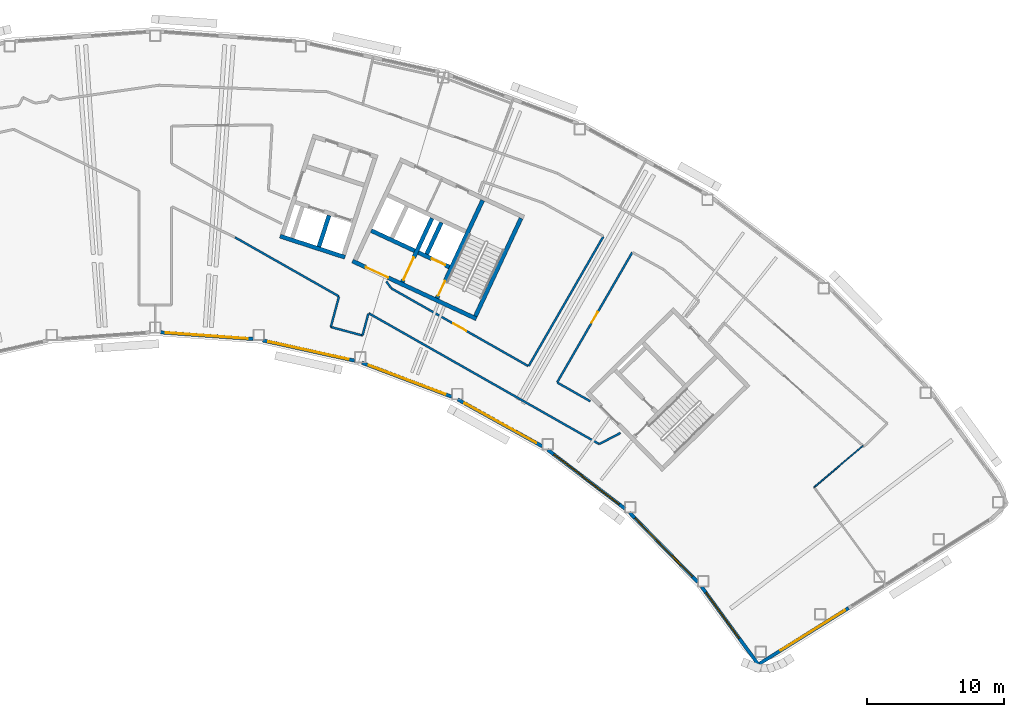
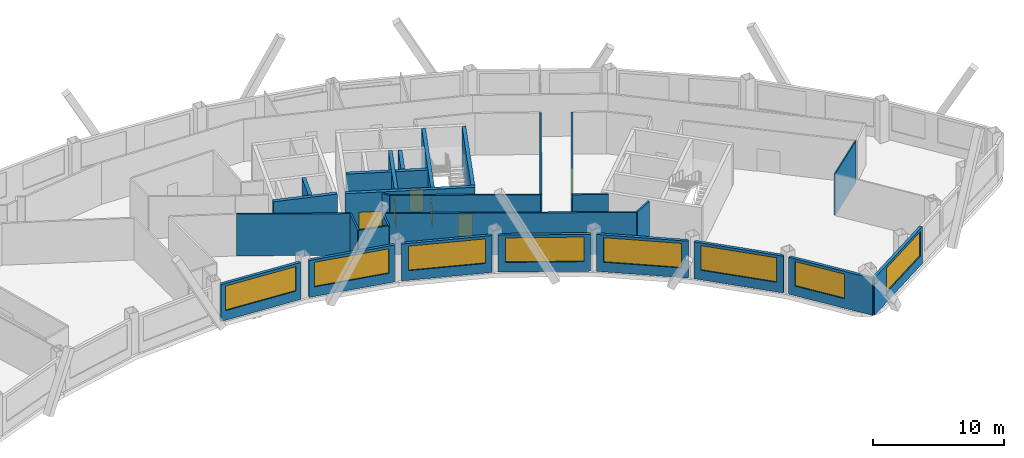
# One storey, part 8 of 13: 29 walls, 8 windows, 6 doors, 14 openings.
"""IFC4 building model written with IfcOpenShell, lengths in metres."""

from ifc_helpers import new_model, si_unit, direction, frame, frame_2d, origin, place, context, subcontext, project, spatial, rectangle, extrude, material, layer, layer_set, type_object, element, fill, save


model = new_model("IFC4")

# Units and contexts
model_context = context("Model", 3, precision=1e-05, world=origin(), true_north=direction((0.0, 1.0)))
body_context = subcontext(model_context, "Body", "Model", "MODEL_VIEW")
ifc_project = project(units=[si_unit("LENGTHUNIT", "METRE"), si_unit("AREAUNIT", "SQUARE_METRE"), si_unit("VOLUMEUNIT", "CUBIC_METRE"), si_unit("PLANEANGLEUNIT", "RADIAN"), si_unit("MASSUNIT", "GRAM", prefix="KILO")], contexts=[model_context])

# Site, building, storey
site_placement = place(None, origin())
site = spatial("IfcSite", under=ifc_project, at=site_placement, CompositionType="ELEMENT")
building_placement = place(site_placement, origin())
building = spatial("IfcBuilding", under=site, at=building_placement, Name="Tuul Gate Civic Tower", CompositionType="ELEMENT")
storey_placement = place(building_placement, frame((0.0, 0.0, 248.39990234375)))
storey = spatial("IfcBuildingStorey", under=building, at=storey_placement, Name="Level 56", CompositionType="ELEMENT", Elevation=248.39990234375)

# Wall, opening, door
ifc_material_1 = material(Name="Concrete C50/60", Category="concrete")
ifc_layer_1 = layer(ifc_material_1, 0.300048828125)
ifc_layer_set_1 = layer_set([ifc_layer_1], Name="Concrete C50/60")
wall_type_1 = type_object("IfcWallType", Name="Core wall C50/60", PredefinedType="SHEAR", material=ifc_layer_set_1)
wall_1_placement = place(storey_placement, frame((34.5283203125, -7.25, 0.0), z_axis=(0.0, 0.0, 1.0), x_axis=(-0.906310338845, 0.422612789327, 0.0)))
wall_1 = element("IfcWall", 1, at=wall_1_placement, inside=storey, type_object=wall_type_1, Name="Core wall", PredefinedType="SHEAR", context=body_context, shape_type="SweptSolid", body=[
    extrude(rectangle(XDim=9.999755859375, YDim=0.300048828125, at=frame_2d((5.0, 0.0))), origin(), (0.0, 0.0, 1.0), 3.900146484375),
])
opening_1_placement = place(wall_1_placement, frame((7.125, 0.0, 0.0)))
opening_1 = element("IfcOpeningElement", 2, at=opening_1_placement, cuts=wall_1, Name="Opening LB-E3-LOBBY-1", PredefinedType="OPENING", context=body_context, shape_type="SweptSolid", body=[
    extrude(rectangle(XDim=1.800048828125, YDim=2.10009765625, at=frame_2d((0.89990234375, 1.050048828125))), frame((0.0, 0.16015625, 0.0), z_axis=(0.0, -1.0, 0.0), x_axis=(1.0, 0.0, 0.0)), (0.0, 0.0, 1.0), 0.320068359375),
])
ifc_material_2 = material(Name="Steel", Category="steel")
door_type_1 = type_object("IfcDoorType", Name="Lobby door", OperationType="DOUBLE_DOOR_SINGLE_SWING", PredefinedType="DOOR", material=ifc_material_2)
door_1_placement = place(opening_1_placement, origin())
door_1 = element("IfcDoor", 3, at=door_1_placement, inside=storey, type_object=door_type_1, Name="Lobby door E3-LOBBY", OperationType="DOUBLE_DOOR_SINGLE_SWING", OverallHeight=2.10009765625, OverallWidth=1.800048828125, PredefinedType="DOOR", context=body_context, shape_type="SweptSolid", body=[
    extrude(rectangle(XDim=1.800048828125, YDim=2.10009765625, at=frame_2d((0.89990234375, 1.050048828125))), frame((0.0, 0.02490234375, 0.0), z_axis=(0.0, -1.0, 0.0), x_axis=(1.0, 0.0, 0.0)), (0.0, 0.0, 1.0), 0.050048828125),
])
fill(opening_1, door_1)

wall_2_placement = place(storey_placement, frame((32.545654296875, -3.456787109375, 0.0), z_axis=(0.0, 0.0, 1.0), x_axis=(-0.906300357825, 0.42263419337, 0.0)))
wall_2 = element("IfcWall", 4, at=wall_2_placement, inside=storey, type_object=wall_type_1, Name="Core wall", PredefinedType="SHEAR", context=body_context, shape_type="SweptSolid", body=[
    extrude(rectangle(XDim=2.500244140625, YDim=0.300048828125, at=frame_2d((1.25, 0.0))), origin(), (0.0, 0.0, 1.0), 3.900146484375),
])
opening_2_placement = place(wall_2_placement, frame((0.324951171875, 0.0, 0.0)))
opening_2 = element("IfcOpeningElement", 5, at=opening_2_placement, cuts=wall_2, Name="Opening LD-FF-2", PredefinedType="OPENING", context=body_context, shape_type="SweptSolid", body=[
    extrude(rectangle(XDim=1.10009765625, YDim=2.10009765625, at=frame_2d((0.550048828125, 1.050048828125))), frame((0.0, 0.16015625, 0.0), z_axis=(0.0, -1.0, 0.0), x_axis=(1.0, 0.0, 0.0)), (0.0, 0.0, 1.0), 0.320068359375),
])
ifc_material_3 = material(Name="Stainless steel", Category="steel")
door_type_2 = type_object("IfcDoorType", Name="Landing door", OperationType="DOUBLE_DOOR_SLIDING", PredefinedType="DOOR", material=ifc_material_3)
door_2_placement = place(opening_2_placement, origin())
door_2 = element("IfcDoor", 6, at=door_2_placement, inside=storey, type_object=door_type_2, Name="Fire-fighting lift FF-2 landing door", OperationType="DOUBLE_DOOR_SLIDING", OverallHeight=2.10009765625, OverallWidth=1.10009765625, PredefinedType="DOOR", context=body_context, shape_type="SweptSolid", body=[
    extrude(rectangle(XDim=1.10009765625, YDim=2.10009765625, at=frame_2d((0.550048828125, 1.050048828125))), frame((0.0, 0.02490234375, 0.0), z_axis=(0.0, -1.0, 0.0), x_axis=(1.0, 0.0, 0.0)), (0.0, 0.0, 1.0), 0.050048828125),
])
fill(opening_2, door_2)

# Walls
wall_3_placement = place(storey_placement, frame((30.0078125, -2.2734375, 0.0), z_axis=(0.0, 0.0, 1.0), x_axis=(-0.90630071767, 0.422633421716, 0.0)))
element("IfcWall", 7, at=wall_3_placement, inside=storey, type_object=wall_type_1, Name="Core wall", PredefinedType="SHEAR", context=body_context, shape_type="SweptSolid", body=[
    extrude(rectangle(XDim=3.5, YDim=0.300048828125, at=frame_2d((1.75, 0.0))), origin(), (0.0, 0.0, 1.0), 3.900146484375),
])
wall_4_placement = place(storey_placement, frame((34.455810546875, -7.05078125, 0.0), z_axis=(0.0, 0.0, 1.0), x_axis=(0.422570768258, 0.906329932096, 0.0)))
element("IfcWall", 8, at=wall_4_placement, inside=storey, type_object=wall_type_1, Name="Core wall", PredefinedType="SHEAR", context=body_context, shape_type="SweptSolid", body=[
    extrude(rectangle(XDim=7.900146484375, YDim=0.300048828125, at=frame_2d((3.9501953125, 0.0))), origin(), (0.0, 0.0, 1.0), 3.900146484375),
])

# Wall, opening, door
wall_5_placement = place(storey_placement, frame((31.646240234375, -5.740478515625, 0.0), z_axis=(0.0, 0.0, 1.0), x_axis=(0.422582604137, 0.906324413596, 0.0)))
wall_5 = element("IfcWall", 9, at=wall_5_placement, inside=storey, type_object=wall_type_1, Name="Core wall", PredefinedType="SHEAR", context=body_context, shape_type="SweptSolid", body=[
    extrude(rectangle(XDim=7.89990234375, YDim=0.300048828125, at=frame_2d((3.949951171875, 0.0))), origin(), (0.0, 0.0, 1.0), 3.900146484375),
])
opening_3_placement = place(wall_5_placement, frame((0.199951171875, 0.0, 0.0)))
opening_3 = element("IfcOpeningElement", 10, at=opening_3_placement, cuts=wall_5, Name="Opening SD-ST-4", PredefinedType="OPENING", context=body_context, shape_type="SweptSolid", body=[
    extrude(rectangle(XDim=1.199951171875, YDim=2.10009765625, at=frame_2d((0.60009765625, 1.050048828125))), frame((0.0, 0.16015625, 0.0), z_axis=(0.0, -1.0, 0.0), x_axis=(1.0, 0.0, 0.0)), (0.0, 0.0, 1.0), 0.320068359375),
])
ifc_material_4 = material(Name="Steel", Category="steel")
door_type_3 = type_object("IfcDoorType", Name="Stair door", OperationType="NOTDEFINED", PredefinedType="DOOR", material=ifc_material_4)
door_3_placement = place(opening_3_placement, origin())
door_3 = element("IfcDoor", 11, at=door_3_placement, inside=storey, type_object=door_type_3, Name="Stair door ST-4", OperationType="SINGLE_SWING_LEFT", OverallHeight=2.10009765625, OverallWidth=1.199951171875, PredefinedType="DOOR", context=body_context, shape_type="SweptSolid", body=[
    extrude(rectangle(XDim=1.199951171875, YDim=2.10009765625, at=frame_2d((0.60009765625, 1.050048828125))), frame((0.0, 0.02490234375, 0.0), z_axis=(0.0, -1.0, 0.0), x_axis=(1.0, 0.0, 0.0)), (0.0, 0.0, 1.0), 0.050048828125),
])
fill(opening_3, door_3)

# Wall
wall_6_placement = place(storey_placement, frame((30.886962890625, -2.517822265625, 0.0), z_axis=(0.0, 0.0, 1.0), x_axis=(0.422612891016, 0.906310291427, 0.0)))
element("IfcWall", 12, at=wall_6_placement, inside=storey, type_object=wall_type_1, Name="Core wall", PredefinedType="SHEAR", context=body_context, shape_type="SweptSolid", body=[
    extrude(rectangle(XDim=2.550048828125, YDim=0.300048828125, at=frame_2d((1.27490234375, 0.0))), origin(), (0.0, 0.0, 1.0), 3.900146484375),
])

# Wall, opening, door
wall_7_placement = place(storey_placement, frame((29.108642578125, -4.557373046875, 0.0), z_axis=(0.0, 0.0, 1.0), x_axis=(0.422566235356, 0.90633204552, 0.0)))
wall_7 = element("IfcWall", 13, at=wall_7_placement, inside=storey, type_object=wall_type_1, Name="Core wall", PredefinedType="SHEAR", context=body_context, shape_type="SweptSolid", body=[
    extrude(rectangle(XDim=5.150146484375, YDim=0.300048828125, at=frame_2d((2.5751953125, 0.0))), origin(), (0.0, 0.0, 1.0), 3.900146484375),
])
opening_4_placement = place(wall_7_placement, frame((0.175048828125, 0.0, 0.0)))
opening_4 = element("IfcOpeningElement", 14, at=opening_4_placement, cuts=wall_7, Name="Opening LB-E3-FLOBBY-1", PredefinedType="OPENING", context=body_context, shape_type="SweptSolid", body=[
    extrude(rectangle(XDim=1.800048828125, YDim=2.10009765625, at=frame_2d((0.89990234375, 1.050048828125))), frame((0.0, 0.16015625, 0.0), z_axis=(0.0, -1.0, 0.0), x_axis=(1.0, 0.0, 0.0)), (0.0, 0.0, 1.0), 0.320068359375),
])
door_4_placement = place(opening_4_placement, frame((1.800048828125, 0.0, 0.0), z_axis=(0.0, 0.0, 1.0), x_axis=(-1.0, 0.0, 0.0)))
door_4 = element("IfcDoor", 15, at=door_4_placement, inside=storey, type_object=door_type_1, Name="Lobby door E3-FLOBBY", OperationType="DOUBLE_DOOR_SINGLE_SWING", OverallHeight=2.10009765625, OverallWidth=1.800048828125, PredefinedType="DOOR", context=body_context, shape_type="SweptSolid", body=[
    extrude(rectangle(XDim=1.800048828125, YDim=2.10009765625, at=frame_2d((0.900146484375, 1.050048828125))), frame((0.0, 0.02490234375, 0.0), z_axis=(0.0, -1.0, 0.0), x_axis=(1.0, 0.0, 0.0)), (0.0, 0.0, 1.0), 0.050048828125),
])
fill(opening_4, door_4)

ifc_material_5 = material(Name="Gypsum board partition")
ifc_layer_2 = layer(ifc_material_5, 0.14990234375)
ifc_layer_set_2 = layer_set([ifc_layer_2], Name="Gypsum board partition")
wall_type_2 = type_object("IfcWallType", Name="Corridor wall P150", PredefinedType="PARTITIONING", material=ifc_layer_set_2)
wall_8_placement = place(storey_placement, frame((28.28857421875, -5.01220703125, 0.0), z_axis=(0.0, 0.0, 1.0), x_axis=(0.869716838548, -0.493551031551, 0.0)))
wall_8 = element("IfcWall", 16, at=wall_8_placement, inside=storey, type_object=wall_type_2, Name="p021", PredefinedType="PARTITIONING", context=body_context, shape_type="SweptSolid", body=[
    extrude(rectangle(XDim=11.541015625, YDim=0.14990234375, at=frame_2d((5.7705078125, 0.0))), origin(), (0.0, 0.0, 1.0), 3.900146484375),
])
opening_5_placement = place(wall_8_placement, frame((5.220458984375, 0.0, 0.0)))
opening_5 = element("IfcOpeningElement", 17, at=opening_5_placement, cuts=wall_8, Name="Opening U-D13", PredefinedType="OPENING", context=body_context, shape_type="SweptSolid", body=[
    extrude(rectangle(XDim=1.10009765625, YDim=2.10009765625, at=frame_2d((0.550048828125, 1.050048828125))), frame((0.0, 0.0849609375, 0.0), z_axis=(0.0, -1.0, 0.0), x_axis=(1.0, 0.0, 0.0)), (0.0, 0.0, 1.0), 0.169921875),
])
ifc_material_6 = material(Name="Timber door leaf", Category="wood")
door_type_4 = type_object("IfcDoorType", Name="Door D11", OperationType="NOTDEFINED", PredefinedType="DOOR", material=ifc_material_6)
door_5_placement = place(opening_5_placement, frame((1.10009765625, 0.0, 0.0), z_axis=(0.0, 0.0, 1.0), x_axis=(-1.0, 0.0, 0.0)))
door_5 = element("IfcDoor", 18, at=door_5_placement, inside=storey, type_object=door_type_4, Name="Door U-D13", OperationType="SINGLE_SWING_LEFT", OverallHeight=2.10009765625, OverallWidth=1.10009765625, PredefinedType="DOOR", context=body_context, shape_type="SweptSolid", body=[
    extrude(rectangle(XDim=1.10009765625, YDim=2.10009765625, at=frame_2d((0.550048828125, 1.050048828125))), frame((0.0, 0.02490234375, 0.0), z_axis=(0.0, -1.0, 0.0), x_axis=(1.0, 0.0, 0.0)), (0.0, 0.0, 1.0), 0.050048828125),
])
fill(opening_5, door_5)

# Walls
wall_9_placement = place(storey_placement, frame((40.447998046875, -11.91259765625, 0.0), z_axis=(0.0, 0.0, 1.0), x_axis=(0.869704327938, -0.493573076622, 0.0)))
element("IfcWall", 19, at=wall_9_placement, inside=storey, type_object=wall_type_2, Name="p022", PredefinedType="PARTITIONING", context=body_context, shape_type="SweptSolid", body=[
    extrude(rectangle(XDim=2.76904296875, YDim=0.14990234375, at=frame_2d((1.384521484375, 0.0))), origin(), (0.0, 0.0, 1.0), 3.900146484375),
])
wall_10_placement = place(storey_placement, frame((16.869140625, -1.291259765625, 0.0), z_axis=(0.0, 0.0, 1.0), x_axis=(0.869705050565, -0.49357180331, 0.0)))
element("IfcWall", 20, at=wall_10_placement, inside=storey, type_object=wall_type_2, Name="p049", PredefinedType="PARTITIONING", context=body_context, shape_type="SweptSolid", body=[
    extrude(rectangle(XDim=8.7333984375, YDim=0.14990234375, at=frame_2d((4.36669921875, 0.0))), origin(), (0.0, 0.0, 1.0), 3.900146484375),
])
wall_11_placement = place(storey_placement, frame((26.65380859375, -6.84423828125, 0.0), z_axis=(0.0, 0.0, 1.0), x_axis=(0.869704761963, -0.493572311843, 0.0)))
element("IfcWall", 21, at=wall_11_placement, inside=storey, type_object=wall_type_2, Name="p050", PredefinedType="PARTITIONING", context=body_context, shape_type="SweptSolid", body=[
    extrude(rectangle(XDim=19.387451171875, YDim=0.14990234375, at=frame_2d((9.69384765625, 0.0))), origin(), (0.0, 0.0, 1.0), 3.900146484375),
])
wall_12_placement = place(storey_placement, frame((23.87646484375, -7.84765625, 0.0), z_axis=(0.0, 0.0, 1.0), x_axis=(0.258790844669, 0.965933382131, 0.0)))
element("IfcWall", 22, at=wall_12_placement, inside=storey, type_object=wall_type_2, Name="p051", PredefinedType="PARTITIONING", context=body_context, shape_type="SweptSolid", body=[
    extrude(rectangle(XDim=2.302734375, YDim=0.14990234375, at=frame_2d((1.1513671875, 0.0))), origin(), (0.0, 0.0, 1.0), 3.900146484375),
])
wall_13_placement = place(storey_placement, frame((23.87646484375, -7.84765625, 0.0), z_axis=(0.0, 0.0, 1.0), x_axis=(0.965930342518, -0.258802189717, 0.0)))
element("IfcWall", 23, at=wall_13_placement, inside=storey, type_object=wall_type_2, Name="p052", PredefinedType="PARTITIONING", context=body_context, shape_type="SweptSolid", body=[
    extrude(rectangle(XDim=2.39990234375, YDim=0.14990234375, at=frame_2d((1.199951171875, 0.0))), origin(), (0.0, 0.0, 1.0), 3.900146484375),
])
wall_14_placement = place(storey_placement, frame((26.194580078125, -8.46875, 0.0), z_axis=(0.0, 0.0, 1.0), x_axis=(0.258855549498, 0.965916044226, 0.0)))
element("IfcWall", 24, at=wall_14_placement, inside=storey, type_object=wall_type_2, Name="p053", PredefinedType="PARTITIONING", context=body_context, shape_type="SweptSolid", body=[
    extrude(rectangle(XDim=1.66845703125, YDim=0.14990234375, at=frame_2d((0.834228515625, 0.0))), origin(), (0.0, 0.0, 1.0), 3.900146484375),
])
wall_15_placement = place(storey_placement, frame((38.35205078125, -10.700439453125, 0.0), z_axis=(0.0, 0.0, 1.0), x_axis=(0.499619353254, 0.866245058776, 0.0)))
element("IfcWall", 25, at=wall_15_placement, inside=storey, type_object=wall_type_2, Name="p054", PredefinedType="PARTITIONING", context=body_context, shape_type="SweptSolid", body=[
    extrude(rectangle(XDim=10.93359375, YDim=0.14990234375, at=frame_2d((5.466796875, 0.0))), origin(), (0.0, 0.0, 1.0), 3.900146484375),
])

# Wall, opening, door
wall_16_placement = place(storey_placement, frame((40.438720703125, -11.890869140625, 0.0), z_axis=(0.0, 0.0, 1.0), x_axis=(0.500324334958, 0.865838067914, 0.0)))
wall_16 = element("IfcWall", 26, at=wall_16_placement, inside=storey, type_object=wall_type_2, Name="p055", PredefinedType="PARTITIONING", context=body_context, shape_type="SweptSolid", body=[
    extrude(rectangle(XDim=10.965576171875, YDim=0.14990234375, at=frame_2d((5.48291015625, 0.0))), origin(), (0.0, 0.0, 1.0), 3.900146484375),
])
opening_6_placement = place(wall_16_placement, frame((5.03271484375, 0.0, 0.0)))
opening_6 = element("IfcOpeningElement", 27, at=opening_6_placement, cuts=wall_16, Name="Opening U-D12", PredefinedType="OPENING", context=body_context, shape_type="SweptSolid", body=[
    extrude(rectangle(XDim=0.89990234375, YDim=2.10009765625, at=frame_2d((0.449951171875, 1.050048828125))), frame((0.0, 0.0849609375, 0.0), z_axis=(0.0, -1.0, 0.0), x_axis=(1.0, 0.0, 0.0)), (0.0, 0.0, 1.0), 0.169921875),
])
ifc_material_7 = material(Name="Timber door leaf", Category="wood")
door_type_5 = type_object("IfcDoorType", Name="Door D09", OperationType="NOTDEFINED", PredefinedType="DOOR", material=ifc_material_7)
door_6_placement = place(opening_6_placement, frame((0.89990234375, 0.0, 0.0), z_axis=(0.0, 0.0, 1.0), x_axis=(-1.0, 0.0, 0.0)))
door_6 = element("IfcDoor", 28, at=door_6_placement, inside=storey, type_object=door_type_5, Name="Door U-D12", OperationType="SINGLE_SWING_LEFT", OverallHeight=2.10009765625, OverallWidth=0.89990234375, PredefinedType="DOOR", context=body_context, shape_type="SweptSolid", body=[
    extrude(rectangle(XDim=0.89990234375, YDim=2.10009765625, at=frame_2d((0.449951171875, 1.050048828125))), frame((0.0, 0.02490234375, 0.0), z_axis=(0.0, -1.0, 0.0), x_axis=(1.0, 0.0, 0.0)), (0.0, 0.0, 1.0), 0.050048828125),
])
fill(opening_6, door_6)

# Walls
wall_17_placement = place(storey_placement, frame((43.515380859375, -16.412841796875, 0.0), z_axis=(0.0, 0.0, 1.0), x_axis=(0.885578182446, 0.464490347343, 0.0)))
element("IfcWall", 29, at=wall_17_placement, inside=storey, type_object=wall_type_2, Name="p056", PredefinedType="PARTITIONING", context=body_context, shape_type="SweptSolid", body=[
    extrude(rectangle(XDim=1.755126953125, YDim=0.14990234375, at=frame_2d((0.87744140625, 0.0))), origin(), (0.0, 0.0, 1.0), 3.900146484375),
])
wall_18_placement = place(storey_placement, frame((27.939453125, -4.509033203125, 0.0), z_axis=(0.0, 0.0, 1.0), x_axis=(0.567421034779, -0.823427816685, 0.0)))
element("IfcWall", 30, at=wall_18_placement, inside=storey, type_object=wall_type_2, Name="p087", PredefinedType="PARTITIONING", context=body_context, shape_type="SweptSolid", body=[
    extrude(rectangle(XDim=0.603759765625, YDim=0.14990234375, at=frame_2d((0.3017578125, 0.0))), origin(), (0.0, 0.0, 1.0), 3.900146484375),
])

# Wall, opening, window
ifc_material_8 = material(Name="Precast concrete C40/50", Category="concrete")
ifc_layer_3 = layer(ifc_material_8, 0.25)
ifc_layer_set_3 = layer_set([ifc_layer_3], Name="Precast concrete C40/50")
wall_type_3 = type_object("IfcWallType", Name="External wall", PredefinedType="STANDARD", material=ifc_layer_set_3)
wall_19_placement = place(storey_placement, frame((11.430908203125, -8.236572265625, 0.0), z_axis=(0.0, 0.0, 1.0), x_axis=(0.997384795983, -0.072274260578, 0.0)))
wall_19 = element("IfcWall", 31, at=wall_19_placement, inside=storey, type_object=wall_type_3, Name="External wall", PredefinedType="STANDARD", context=body_context, shape_type="SweptSolid", body=[
    extrude(rectangle(XDim=6.789794921875, YDim=0.25, at=frame_2d((3.39501953125, 0.0))), origin(), (0.0, 0.0, 1.0), 3.4501953125),
])
opening_7_placement = place(wall_19_placement, frame((0.371337890625, 0.0, 0.89990234375)))
opening_7 = element("IfcOpeningElement", 32, at=opening_7_placement, cuts=wall_19, Name="Opening W26", PredefinedType="OPENING", context=body_context, shape_type="SweptSolid", body=[
    extrude(rectangle(XDim=6.0, YDim=2.300048828125, at=frame_2d((3.0, 1.14990234375))), frame((0.0, 0.135009765625, 0.0), z_axis=(0.0, -1.0, 0.0), x_axis=(1.0, 0.0, 0.0)), (0.0, 0.0, 1.0), 0.27001953125),
])
ifc_material_9 = material(Name="Glass", Category="glass")
window_type_1 = type_object("IfcWindowType", Name="Window W26 6000 x 2300", PartitioningType="SINGLE_PANEL", PredefinedType="WINDOW", material=ifc_material_9)
window_1_placement = place(opening_7_placement, origin())
window_1 = element("IfcWindow", 33, at=window_1_placement, inside=storey, type_object=window_type_1, Name="Window", OverallHeight=2.300048828125, OverallWidth=6.0, PartitioningType="SINGLE_PANEL", PredefinedType="WINDOW", context=body_context, shape_type="SweptSolid", body=[
    extrude(rectangle(XDim=6.0, YDim=2.300048828125, at=frame_2d((3.0, 1.14990234375))), frame((0.0, 0.030029296875, 0.0), z_axis=(0.0, -1.0, 0.0), x_axis=(1.0, 0.0, 0.0)), (0.0, 0.0, 1.0), 0.06005859375),
])
fill(opening_7, window_1)

wall_20_placement = place(storey_placement, frame((18.90576171875, -8.830078125, 0.0), z_axis=(0.0, 0.0, 1.0), x_axis=(0.976589118116, -0.215113212929, 0.0)))
wall_20 = element("IfcWall", 34, at=wall_20_placement, inside=storey, type_object=wall_type_3, Name="External wall", PredefinedType="STANDARD", context=body_context, shape_type="SweptSolid", body=[
    extrude(rectangle(XDim=6.8720703125, YDim=0.25, at=frame_2d((3.43603515625, 0.0))), origin(), (0.0, 0.0, 1.0), 3.4501953125),
])
opening_8_placement = place(wall_20_placement, frame((0.4140625, 0.0, 0.89990234375)))
opening_8 = element("IfcOpeningElement", 35, at=opening_8_placement, cuts=wall_20, Name="Opening W26", PredefinedType="OPENING", context=body_context, shape_type="SweptSolid", body=[
    extrude(rectangle(XDim=6.0, YDim=2.300048828125, at=frame_2d((3.0, 1.14990234375))), frame((0.0, 0.135009765625, 0.0), z_axis=(0.0, -1.0, 0.0), x_axis=(1.0, 0.0, 0.0)), (0.0, 0.0, 1.0), 0.27001953125),
])
window_2_placement = place(opening_8_placement, origin())
window_2 = element("IfcWindow", 36, at=window_2_placement, inside=storey, type_object=window_type_1, Name="Window", OverallHeight=2.300048828125, OverallWidth=6.0, PartitioningType="SINGLE_PANEL", PredefinedType="WINDOW", context=body_context, shape_type="SweptSolid", body=[
    extrude(rectangle(XDim=6.0, YDim=2.300048828125, at=frame_2d((3.0, 1.14990234375))), frame((0.0, 0.030029296875, 0.0), z_axis=(0.0, -1.0, 0.0), x_axis=(1.0, 0.0, 0.0)), (0.0, 0.0, 1.0), 0.06005859375),
])
fill(opening_8, window_2)

wall_21_placement = place(storey_placement, frame((26.15673828125, -10.464111328125, 0.0), z_axis=(0.0, 0.0, 1.0), x_axis=(0.935331393711, -0.353772785752, 0.0)))
wall_21 = element("IfcWall", 37, at=wall_21_placement, inside=storey, type_object=wall_type_3, Name="External wall", PredefinedType="STANDARD", context=body_context, shape_type="SweptSolid", body=[
    extrude(rectangle(XDim=7.014892578125, YDim=0.25, at=frame_2d((3.50732421875, 0.0))), origin(), (0.0, 0.0, 1.0), 3.4501953125),
])
opening_9_placement = place(wall_21_placement, frame((0.5234375, 0.0, 0.89990234375)))
opening_9 = element("IfcOpeningElement", 38, at=opening_9_placement, cuts=wall_21, Name="Opening W26", PredefinedType="OPENING", context=body_context, shape_type="SweptSolid", body=[
    extrude(rectangle(XDim=6.0, YDim=2.300048828125, at=frame_2d((3.0, 1.14990234375))), frame((0.0, 0.135009765625, 0.0), z_axis=(0.0, -1.0, 0.0), x_axis=(1.0, 0.0, 0.0)), (0.0, 0.0, 1.0), 0.27001953125),
])
window_3_placement = place(opening_9_placement, origin())
window_3 = element("IfcWindow", 39, at=window_3_placement, inside=storey, type_object=window_type_1, Name="Window", OverallHeight=2.300048828125, OverallWidth=6.0, PartitioningType="SINGLE_PANEL", PredefinedType="WINDOW", context=body_context, shape_type="SweptSolid", body=[
    extrude(rectangle(XDim=6.0, YDim=2.300048828125, at=frame_2d((3.0, 1.14990234375))), frame((0.0, 0.030029296875, 0.0), z_axis=(0.0, -1.0, 0.0), x_axis=(1.0, 0.0, 0.0)), (0.0, 0.0, 1.0), 0.06005859375),
])
fill(opening_9, window_3)

wall_22_placement = place(storey_placement, frame((33.167724609375, -13.14892578125, 0.0), z_axis=(0.0, 0.0, 1.0), x_axis=(0.874609302381, -0.484828390452, 0.0)))
wall_22 = element("IfcWall", 40, at=wall_22_placement, inside=storey, type_object=wall_type_3, Name="External wall", PredefinedType="STANDARD", context=body_context, shape_type="SweptSolid", body=[
    extrude(rectangle(XDim=7.07666015625, YDim=0.25, at=frame_2d((3.538330078125, 0.0))), origin(), (0.0, 0.0, 1.0), 3.4501953125),
])
opening_10_placement = place(wall_22_placement, frame((0.558349609375, 0.0, 0.89990234375)))
opening_10 = element("IfcOpeningElement", 41, at=opening_10_placement, cuts=wall_22, Name="Opening W26", PredefinedType="OPENING", context=body_context, shape_type="SweptSolid", body=[
    extrude(rectangle(XDim=6.0, YDim=2.300048828125, at=frame_2d((3.0, 1.14990234375))), frame((0.0, 0.135009765625, 0.0), z_axis=(0.0, -1.0, 0.0), x_axis=(1.0, 0.0, 0.0)), (0.0, 0.0, 1.0), 0.27001953125),
])
window_4_placement = place(opening_10_placement, origin())
window_4 = element("IfcWindow", 42, at=window_4_placement, inside=storey, type_object=window_type_1, Name="Window", OverallHeight=2.300048828125, OverallWidth=6.0, PartitioningType="SINGLE_PANEL", PredefinedType="WINDOW", context=body_context, shape_type="SweptSolid", body=[
    extrude(rectangle(XDim=6.0, YDim=2.300048828125, at=frame_2d((3.0, 1.14990234375))), frame((0.0, 0.030029296875, 0.0), z_axis=(0.0, -1.0, 0.0), x_axis=(1.0, 0.0, 0.0)), (0.0, 0.0, 1.0), 0.06005859375),
])
fill(opening_10, window_4)

wall_23_placement = place(storey_placement, frame((39.746337890625, -16.830078125, 0.0), z_axis=(0.0, 0.0, 1.0), x_axis=(0.795636022241, -0.605774974815, 0.0)))
wall_23 = element("IfcWall", 43, at=wall_23_placement, inside=storey, type_object=wall_type_3, Name="External wall", PredefinedType="STANDARD", context=body_context, shape_type="SweptSolid", body=[
    extrude(rectangle(XDim=7.103271484375, YDim=0.25, at=frame_2d((3.5517578125, 0.0))), origin(), (0.0, 0.0, 1.0), 3.4501953125),
])
opening_11_placement = place(wall_23_placement, frame((0.5625, 0.0, 0.89990234375)))
opening_11 = element("IfcOpeningElement", 44, at=opening_11_placement, cuts=wall_23, Name="Opening W26", PredefinedType="OPENING", context=body_context, shape_type="SweptSolid", body=[
    extrude(rectangle(XDim=6.0, YDim=2.300048828125, at=frame_2d((3.0, 1.14990234375))), frame((0.0, 0.135009765625, 0.0), z_axis=(0.0, -1.0, 0.0), x_axis=(1.0, 0.0, 0.0)), (0.0, 0.0, 1.0), 0.27001953125),
])
window_5_placement = place(opening_11_placement, origin())
window_5 = element("IfcWindow", 45, at=window_5_placement, inside=storey, type_object=window_type_1, Name="Window", OverallHeight=2.300048828125, OverallWidth=6.0, PartitioningType="SINGLE_PANEL", PredefinedType="WINDOW", context=body_context, shape_type="SweptSolid", body=[
    extrude(rectangle(XDim=6.0, YDim=2.300048828125, at=frame_2d((3.0, 1.14990234375))), frame((0.0, 0.030029296875, 0.0), z_axis=(0.0, -1.0, 0.0), x_axis=(1.0, 0.0, 0.0)), (0.0, 0.0, 1.0), 0.06005859375),
])
fill(opening_11, window_5)

wall_24_placement = place(storey_placement, frame((45.73486328125, -21.428955078125, 0.0), z_axis=(0.0, 0.0, 1.0), x_axis=(0.700015105418, -0.714128036269, 0.0)))
wall_24 = element("IfcWall", 46, at=wall_24_placement, inside=storey, type_object=wall_type_3, Name="External wall", PredefinedType="STANDARD", context=body_context, shape_type="SweptSolid", body=[
    extrude(rectangle(XDim=7.10986328125, YDim=0.25, at=frame_2d((3.554931640625, 0.0))), origin(), (0.0, 0.0, 1.0), 3.4501953125),
])
opening_12_placement = place(wall_24_placement, frame((0.553955078125, 0.0, 0.89990234375)))
opening_12 = element("IfcOpeningElement", 47, at=opening_12_placement, cuts=wall_24, Name="Opening W26", PredefinedType="OPENING", context=body_context, shape_type="SweptSolid", body=[
    extrude(rectangle(XDim=6.0, YDim=2.300048828125, at=frame_2d((3.0, 1.14990234375))), frame((0.0, 0.135009765625, 0.0), z_axis=(0.0, -1.0, 0.0), x_axis=(1.0, 0.0, 0.0)), (0.0, 0.0, 1.0), 0.27001953125),
])
window_6_placement = place(opening_12_placement, origin())
window_6 = element("IfcWindow", 48, at=window_6_placement, inside=storey, type_object=window_type_1, Name="Window", OverallHeight=2.300048828125, OverallWidth=6.0, PartitioningType="SINGLE_PANEL", PredefinedType="WINDOW", context=body_context, shape_type="SweptSolid", body=[
    extrude(rectangle(XDim=6.0, YDim=2.300048828125, at=frame_2d((3.0, 1.14990234375))), frame((0.0, 0.030029296875, 0.0), z_axis=(0.0, -1.0, 0.0), x_axis=(1.0, 0.0, 0.0)), (0.0, 0.0, 1.0), 0.06005859375),
])
fill(opening_12, window_6)

wall_25_placement = place(storey_placement, frame((51.001708984375, -26.85009765625, 0.0), z_axis=(0.0, 0.0, 1.0), x_axis=(0.589734649771, -0.807597079526, 0.0)))
wall_25 = element("IfcWall", 49, at=wall_25_placement, inside=storey, type_object=wall_type_3, Name="External wall", PredefinedType="STANDARD", context=body_context, shape_type="SweptSolid", body=[
    extrude(rectangle(XDim=7.03515625, YDim=0.25, at=frame_2d((3.517578125, 0.0))), origin(), (0.0, 0.0, 1.0), 3.4501953125),
])
opening_13_placement = place(wall_25_placement, frame((0.527587890625, 0.0, 0.89990234375)))
opening_13 = element("IfcOpeningElement", 50, at=opening_13_placement, cuts=wall_25, Name="Opening W25", PredefinedType="OPENING", context=body_context, shape_type="SweptSolid", body=[
    extrude(rectangle(XDim=4.14990234375, YDim=2.300048828125, at=frame_2d((2.074951171875, 1.14990234375))), frame((0.0, 0.135009765625, 0.0), z_axis=(0.0, -1.0, 0.0), x_axis=(1.0, 0.0, 0.0)), (0.0, 0.0, 1.0), 0.27001953125),
])
ifc_material_10 = material(Name="Glass", Category="glass")
window_type_2 = type_object("IfcWindowType", Name="Window W25 4150 x 2300", PartitioningType="SINGLE_PANEL", PredefinedType="WINDOW", material=ifc_material_10)
window_7_placement = place(opening_13_placement, origin())
window_7 = element("IfcWindow", 51, at=window_7_placement, inside=storey, type_object=window_type_2, Name="Window", OverallHeight=2.300048828125, OverallWidth=4.14990234375, PartitioningType="SINGLE_PANEL", PredefinedType="WINDOW", context=body_context, shape_type="SweptSolid", body=[
    extrude(rectangle(XDim=4.14990234375, YDim=2.300048828125, at=frame_2d((2.074951171875, 1.14990234375))), frame((0.0, 0.030029296875, 0.0), z_axis=(0.0, -1.0, 0.0), x_axis=(1.0, 0.0, 0.0)), (0.0, 0.0, 1.0), 0.06005859375),
])
fill(opening_13, window_7)

wall_26_placement = place(storey_placement, frame((55.150634765625, -32.53173828125, 0.0), z_axis=(0.0, 0.0, 1.0), x_axis=(0.848019436648, 0.529965126274, 0.0)))
wall_26 = element("IfcWall", 52, at=wall_26_placement, inside=storey, type_object=wall_type_3, Name="External wall", PredefinedType="STANDARD", context=body_context, shape_type="SweptSolid", body=[
    extrude(rectangle(XDim=7.7880859375, YDim=0.25, at=frame_2d((3.89404296875, 0.0))), origin(), (0.0, 0.0, 1.0), 3.4501953125),
])
opening_14_placement = place(wall_26_placement, frame((1.921630859375, 0.0, 0.89990234375)))
opening_14 = element("IfcOpeningElement", 53, at=opening_14_placement, cuts=wall_26, Name="Opening W24", PredefinedType="OPENING", context=body_context, shape_type="SweptSolid", body=[
    extrude(rectangle(XDim=5.550048828125, YDim=2.300048828125, at=frame_2d((2.77490234375, 1.14990234375))), frame((0.0, 0.135009765625, 0.0), z_axis=(0.0, -1.0, 0.0), x_axis=(1.0, 0.0, 0.0)), (0.0, 0.0, 1.0), 0.27001953125),
])
ifc_material_11 = material(Name="Glass", Category="glass")
window_type_3 = type_object("IfcWindowType", Name="Window W24 5550 x 2300", PartitioningType="SINGLE_PANEL", PredefinedType="WINDOW", material=ifc_material_11)
window_8_placement = place(opening_14_placement, origin())
window_8 = element("IfcWindow", 54, at=window_8_placement, inside=storey, type_object=window_type_3, Name="Window", OverallHeight=2.300048828125, OverallWidth=5.550048828125, PartitioningType="SINGLE_PANEL", PredefinedType="WINDOW", context=body_context, shape_type="SweptSolid", body=[
    extrude(rectangle(XDim=5.550048828125, YDim=2.300048828125, at=frame_2d((2.77490234375, 1.14990234375))), frame((0.0, 0.030029296875, 0.0), z_axis=(0.0, -1.0, 0.0), x_axis=(1.0, 0.0, 0.0)), (0.0, 0.0, 1.0), 0.06005859375),
])
fill(opening_14, window_8)

# Walls
ifc_material_12 = material(Name="Concrete C40/50", Category="concrete")
ifc_layer_4 = layer(ifc_material_12, 0.300048828125)
ifc_layer_set_4 = layer_set([ifc_layer_4], Name="Concrete C40/50")
wall_type_4 = type_object("IfcWallType", Name="Lift shaft wall C40/50", PredefinedType="STANDARD", material=ifc_layer_set_4)
wall_27_placement = place(storey_placement, frame((24.911376953125, -2.746337890625, 0.0), z_axis=(0.0, 0.0, 1.0), x_axis=(-0.951067792613, 0.308982287281, 0.0)))
element("IfcWall", 55, at=wall_27_placement, inside=storey, type_object=wall_type_4, Name="Shaft wall", PredefinedType="STANDARD", context=body_context, shape_type="SweptSolid", body=[
    extrude(rectangle(XDim=5.0, YDim=0.300048828125, at=frame_2d((2.5, 0.0))), origin(), (0.0, 0.0, 1.0), 3.900146484375),
])
wall_28_placement = place(storey_placement, frame((23.008056640625, -1.97021484375, 0.0), z_axis=(0.0, 0.0, 1.0), x_axis=(0.309138975195, 0.951016873675, 0.0)))
element("IfcWall", 56, at=wall_28_placement, inside=storey, type_object=wall_type_4, Name="Shaft wall", PredefinedType="STANDARD", context=body_context, shape_type="SweptSolid", body=[
    extrude(rectangle(XDim=2.400146484375, YDim=0.300048828125, at=frame_2d((1.2001953125, 0.0))), origin(), (0.0, 0.0, 1.0), 3.900146484375),
])
ifc_material_13 = material(Name="Gypsum board partition")
ifc_layer_5 = layer(ifc_material_13, 0.10009765625)
ifc_layer_set_5 = layer_set([ifc_layer_5], Name="Gypsum board partition")
wall_type_5 = type_object("IfcWallType", Name="Partition P100", PredefinedType="PARTITIONING", material=ifc_layer_set_5)
wall_29_placement = place(storey_placement, frame((59.23486328125, -19.56494140625, 0.0), z_axis=(0.0, 0.0, 1.0), x_axis=(0.762842450908, 0.646584406781, 0.0)))
element("IfcWall", 57, at=wall_29_placement, inside=storey, type_object=wall_type_5, Name="p003", PredefinedType="PARTITIONING", context=body_context, shape_type="SweptSolid", body=[
    extrude(rectangle(XDim=4.68505859375, YDim=0.10009765625, at=frame_2d((2.342529296875, 0.0))), origin(), (0.0, 0.0, 1.0), 3.900146484375),
])

save(model, "model.ifc")
